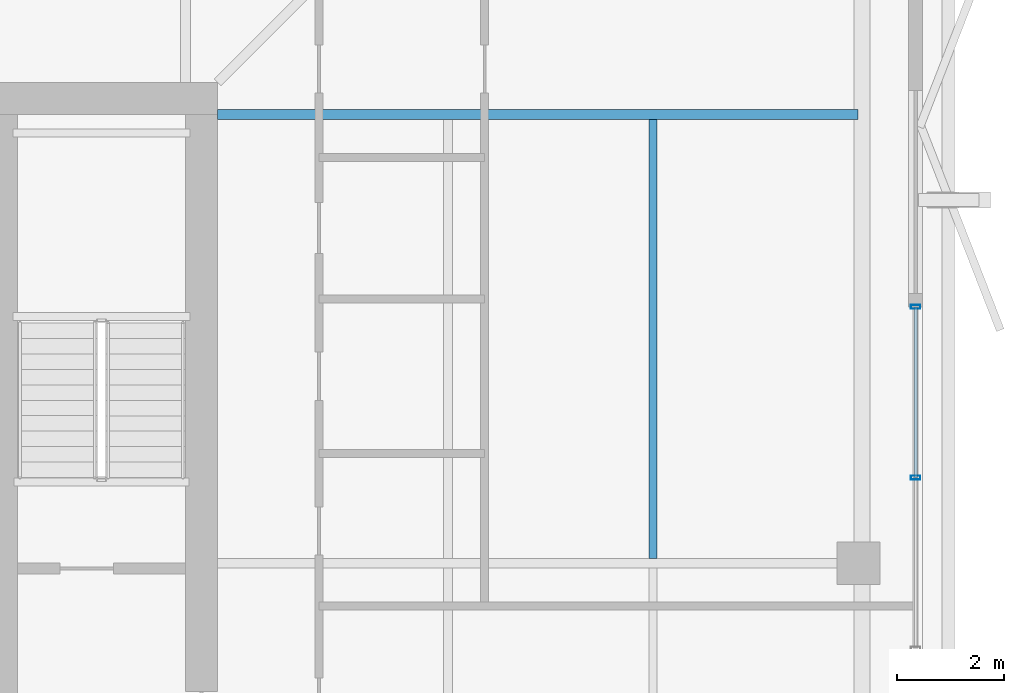
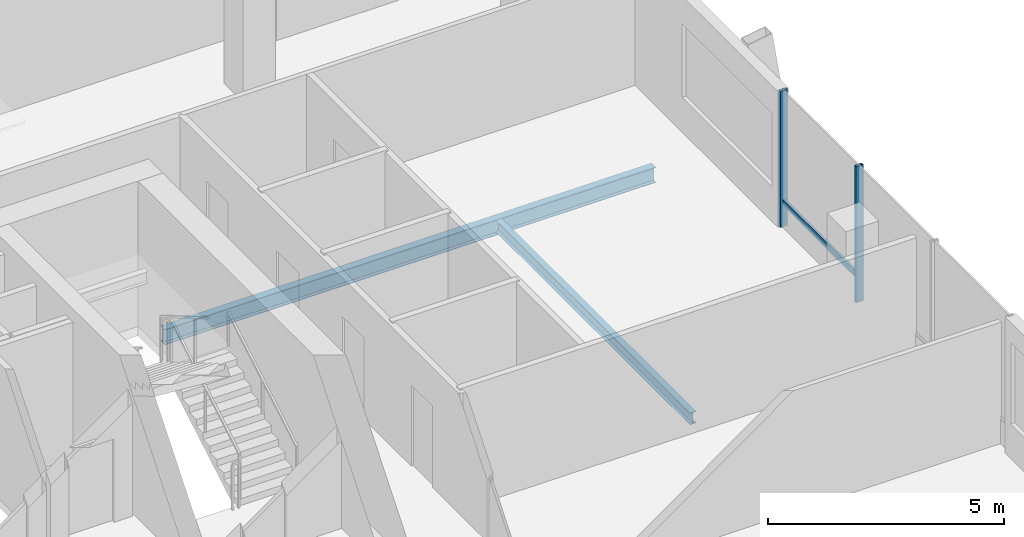
# One storey, part 8 of 17: 3 members, 2 beams, 1 element without a shape of its own.
"""IFC4 building model written with IfcOpenShell, lengths in metres."""

import ifcopenshell
import ifcopenshell.guid

model = None  # the IFC model being written
_history = None  # IfcOwnerHistory: only IFC2X3 demands one
_inside = {}  # id of a spatial element -> (the spatial element, [elements in it])
_under = {}  # id of a project, library or spatial element -> (it, [spatial elements below it])
_declared = {}  # id of a project -> (the project, [libraries it declares])
_typed = {}  # id of a type object -> (the type object, [elements of that type])
_made_of = {}  # id of a material, layer set ... -> (it, [elements and type objects made of it])


def new_model(schema):
    """Start an empty IFC model of exactly this schema.

    Asked for "IFC4X3", IfcOpenShell would pick the latest addendum, in which some entities
    have other attributes; the version numbers below select the first issue.
    IFC2X3 requires an IfcOwnerHistory on every rooted entity: one is made here for all.
    """
    global model, _history
    if schema == "IFC4X3":
        model = ifcopenshell.file(schema_version=(4, 3, 0, 0))
    else:
        model = ifcopenshell.file(schema=schema)
    _inside.clear()
    _under.clear()
    _declared.clear()
    _typed.clear()
    _made_of.clear()
    _history = None
    if model.schema == "IFC2X3":
        org = make("IfcOrganization", Name="unknown")
        user = make(
            "IfcPersonAndOrganization",
            ThePerson=make("IfcPerson", FamilyName="unknown"),
            TheOrganization=org,
        )
        app = make(
            "IfcApplication",
            ApplicationDeveloper=org,
            Version="unknown",
            ApplicationFullName="unknown",
            ApplicationIdentifier="unknown",
        )
        _history = make(
            "IfcOwnerHistory",
            OwningUser=user,
            OwningApplication=app,
            ChangeAction="ADDED",
            CreationDate=0,
        )
    return model


def make(cls, **values):
    """One entity of the class cls with the attributes given. An attribute that is None is left unset."""
    return model.create_entity(
        cls, **{name: value for name, value in values.items() if value is not None}
    )


def rooted(cls, **values):
    """An entity with a GlobalId (a new one), such as an element, a storey or a relation."""
    return make(cls, GlobalId=ifcopenshell.guid.new(), OwnerHistory=_history, **values)


def si_unit(unit_type, name, prefix=None):
    """IfcSIUnit, for example si_unit("LENGTHUNIT", "METRE", prefix="MILLI")."""
    return make("IfcSIUnit", UnitType=unit_type, Prefix=prefix, Name=name)


def assignment(units):
    """IfcUnitAssignment: the units of a project."""
    return None if units is None else make("IfcUnitAssignment", Units=units)


def point(xyz):
    """IfcCartesianPoint."""
    return None if xyz is None else make("IfcCartesianPoint", Coordinates=xyz)


def direction(xyz):
    """IfcDirection."""
    return None if xyz is None else make("IfcDirection", DirectionRatios=xyz)


def frame(location, z_axis=None, x_axis=None):
    """IfcAxis2Placement3D, a coordinate frame: its origin and axes. An axis left out is left unset."""
    return make(
        "IfcAxis2Placement3D",
        Location=point(location),
        Axis=direction(z_axis),
        RefDirection=direction(x_axis),
    )


def frame_2d(location, x_axis=None):
    """IfcAxis2Placement2D, a coordinate frame in the plane: its origin and x axis."""
    return make(
        "IfcAxis2Placement2D", Location=point(location), RefDirection=direction(x_axis)
    )


def origin():
    """The frame at (0, 0, 0) with its axes left unset."""
    return frame((0.0, 0.0, 0.0))


def origin_2d():
    """The frame at (0, 0) in the plane with its x axis left unset."""
    return frame_2d((0.0, 0.0))


def place(relative_to, where):
    """IfcLocalPlacement: puts the frame where relative to a parent placement (None: the world)."""
    return make(
        "IfcLocalPlacement", PlacementRelTo=relative_to, RelativePlacement=where
    )


def context(
    kind, dimensions, precision=None, world=None, true_north=None, identifier=None
):
    """IfcGeometricRepresentationContext, for example the 3D "Model" context."""
    return make(
        "IfcGeometricRepresentationContext",
        ContextIdentifier=identifier,
        ContextType=kind,
        CoordinateSpaceDimension=dimensions,
        Precision=precision,
        WorldCoordinateSystem=world,
        TrueNorth=true_north,
    )


def subcontext(parent, identifier, kind, view, scale=None):
    """IfcGeometricRepresentationSubContext, for example "Body" below "Model"."""
    return make(
        "IfcGeometricRepresentationSubContext",
        ContextIdentifier=identifier,
        ContextType=kind,
        ParentContext=parent,
        TargetScale=scale,
        TargetView=view,
    )


def project(units=None, contexts=None):
    """IfcProject with its units and contexts."""
    return rooted(
        "IfcProject",
        Name="project",
        RepresentationContexts=contexts,
        UnitsInContext=assignment(units),
    )


def spatial(cls, under=None, at=None, **own):
    """A site, building, storey or space (cls), placed at a placement, below another one or the project."""
    s = rooted(cls, ObjectPlacement=at, **own)
    if under is not None:
        _under.setdefault(under.id(), (under, []))[1].append(s)
    return s


def profile(cls, at=None, kind="AREA", **sizes):
    """A parametric profile (cls). Its sizes go by their IFC names, for example OverallWidth=200.0."""
    return make(cls, ProfileType=kind, Position=at, **sizes)


def hollow_rectangle(**sizes):
    """IfcRectangleHollowProfileDef."""
    return profile("IfcRectangleHollowProfileDef", **sizes)


def i_section(**sizes):
    """IfcIShapeProfileDef."""
    return profile("IfcIShapeProfileDef", **sizes)


def extrude(swept, where, along, depth):
    """IfcExtrudedAreaSolid: the profile swept, set in the frame where, extruded along a direction by depth."""
    return make(
        "IfcExtrudedAreaSolid",
        SweptArea=swept,
        Position=where,
        ExtrudedDirection=direction(along),
        Depth=depth,
    )


def shape(context_of_items, identifier, shape_type, items):
    """IfcShapeRepresentation: the items that make up one representation, for example the "Body"."""
    return make(
        "IfcShapeRepresentation",
        ContextOfItems=context_of_items,
        RepresentationIdentifier=identifier,
        RepresentationType=shape_type,
        Items=items,
    )


def material(Name=None, Category=None):
    """IfcMaterial."""
    return make("IfcMaterial", Name=Name, Category=Category)


def layer(
    of_material, thickness, ventilated=None, Name=None, Category=None, Priority=None
):
    """IfcMaterialLayer: one layer of a wall or slab, of a material (None: an air gap)."""
    return make(
        "IfcMaterialLayer",
        Material=of_material,
        LayerThickness=thickness,
        IsVentilated=ventilated,
        Name=Name,
        Category=Category,
        Priority=Priority,
    )


def layer_set(layers, Name=None):
    """IfcMaterialLayerSet."""
    return make("IfcMaterialLayerSet", MaterialLayers=layers, LayerSetName=Name)


def material_profile(
    of_material, cross_section, Name=None, Category=None, Priority=None
):
    """IfcMaterialProfile: a cross section and its material."""
    return make(
        "IfcMaterialProfile",
        Name=Name,
        Material=of_material,
        Profile=cross_section,
        Priority=Priority,
        Category=Category,
    )


def profile_set(profiles, Name=None, composite=None):
    """IfcMaterialProfileSet."""
    return make(
        "IfcMaterialProfileSet",
        Name=Name,
        MaterialProfiles=profiles,
        CompositeProfile=composite,
    )


def made_of(thing, what):
    """Note that an element or type object is made of a material, layer set ...; save() writes the relation."""
    if what is not None:
        _made_of.setdefault(what.id(), (what, []))[1].append(thing)
    return thing


def type_object(cls, material=None, **own):
    """A type object (cls), such as IfcWallType, which elements share."""
    return made_of(rooted(cls, **own), material)


def element(
    cls,
    number,
    at=None,
    inside=None,
    cuts=None,
    type_object=None,
    material=None,
    context=None,
    identifier="Body",
    shape_type=None,
    held_by="IfcProductDefinitionShape",
    body=None,
    shapes=None,
    **own,
):
    """One element of the class cls, such as IfcWall. Its Tag is "e" and its number.

    at: its placement. inside: the storey or other place that contains it. cuts: it is an
    opening in that element (IfcRelVoidsElement). A single representation is given by context,
    identifier, shape_type and body (its items); several are given by shapes. held_by: the class
    of the entity that holds the representations. save() writes the other relations.
    """
    e = rooted(cls, Tag="e%d" % number, ObjectPlacement=at, **own)
    if body is not None:
        shapes = [shape(context, identifier, shape_type, body)]
    if shapes is not None:
        e.Representation = make(held_by, Representations=shapes)
    if inside is not None:
        _inside.setdefault(inside.id(), (inside, []))[1].append(e)
    if cuts is not None:
        rooted(
            "IfcRelVoidsElement", RelatingBuildingElement=cuts, RelatedOpeningElement=e
        )
    if type_object is not None:
        _typed.setdefault(type_object.id(), (type_object, []))[1].append(e)
    return made_of(e, material)


def aggregate(whole, parts):
    """IfcRelAggregates: a whole, such as a stair, and the parts it consists of."""
    return rooted("IfcRelAggregates", RelatingObject=whole, RelatedObjects=parts)


def save(model, path):
    """Write the relations noted so far, then the file.

    IfcRelAggregates (storeys below a building ...), IfcRelContainedInSpatialStructure (elements
    in a storey), IfcRelDefinesByType, IfcRelAssociatesMaterial and IfcRelDeclares: one each for
    every whole, place, type object, material and project.
    """
    for whole, parts in _under.values():
        aggregate(whole, parts)
    for where, things in _inside.values():
        rooted(
            "IfcRelContainedInSpatialStructure",
            RelatedElements=things,
            RelatingStructure=where,
        )
    for kind, things in _typed.values():
        rooted("IfcRelDefinesByType", RelatedObjects=things, RelatingType=kind)
    for what, things in _made_of.values():
        rooted("IfcRelAssociatesMaterial", RelatedObjects=things, RelatingMaterial=what)
    for by, libraries in _declared.values():
        rooted("IfcRelDeclares", RelatingContext=by, RelatedDefinitions=libraries)
    model.write(path)


model = new_model("IFC4")

# Units and contexts
model_context = context("Model", 3, precision=1e-05, world=origin(), true_north=direction((0.0, 1.0)))
body_context = subcontext(model_context, "Body", "Model", "MODEL_VIEW")
ifc_project = project(units=[si_unit("LENGTHUNIT", "METRE"), si_unit("AREAUNIT", "SQUARE_METRE"), si_unit("VOLUMEUNIT", "CUBIC_METRE"), si_unit("PLANEANGLEUNIT", "RADIAN"), si_unit("MASSUNIT", "GRAM", prefix="KILO")], contexts=[model_context])

# Site, building, storey
site_placement = place(None, origin())
site = spatial("IfcSite", under=ifc_project, at=site_placement, CompositionType="ELEMENT")
building_placement = place(site_placement, origin())
building = spatial("IfcBuilding", under=site, at=building_placement, Name="Belovzor Exchange Tower", CompositionType="ELEMENT")
storey_placement = place(building_placement, frame((0.0, 0.0, 333.0)))
storey = spatial("IfcBuildingStorey", under=building, at=storey_placement, Name="L83", CompositionType="ELEMENT", Elevation=333.0)

# Beam
ifc_material_1 = material(Name="Steel S355", Category="steel")
ifc_material_profile_1 = material_profile(ifc_material_1, i_section(OverallWidth=0.14990234375, OverallDepth=0.300048828125, WebThickness=0.007080078125, FlangeThickness=0.0107421875, at=origin_2d()))
ifc_profile_set_1 = profile_set([ifc_material_profile_1], Name="Steel S355")
beam_type_1 = type_object("IfcBeamType", Name="Secondary Trim Floor Joist IPE 300", PredefinedType="BEAM", material=ifc_profile_set_1)
beam_1_placement = place(storey_placement, frame((45.950927734375, 28.889892578125, -0.389892578125), z_axis=(0.0, 1.0, 0.0), x_axis=(-1.0, 0.0, 0.0)))
element("IfcBeam", 1, at=beam_1_placement, inside=storey, type_object=beam_type_1, Name="FJ-300 Secondary Trim Floor Joist IPE 300", PredefinedType="BEAM", context=body_context, shape_type="SweptSolid", body=[
    extrude(i_section(OverallWidth=0.14990234375, OverallDepth=0.300048828125, WebThickness=0.007080078125, FlangeThickness=0.0107421875, at=origin_2d()), origin(), (0.0, 0.0, 1.0), 8.22021484375),
])

# Curtain wall, members
ifc_material_2 = material(Name="Anodised Aluminium Framing", Category="aluminium")
ifc_layer = layer(ifc_material_2, 0.179931640625)
ifc_layer_set = layer_set([ifc_layer], Name="Anodised Aluminium Framing")
curtain_wall_type = type_object("IfcCurtainWallType", Name="Recessed Loggia Low-Iron Triple-Glazed Curtain Wall", PredefinedType="NOTDEFINED", material=ifc_layer_set)
curtain_wall_placement = place(storey_placement, origin())
curtain_wall = element("IfcCurtainWall", 2, at=curtain_wall_placement, inside=storey, type_object=curtain_wall_type, Name="CW3 Recessed Loggia Low-Iron Triple-Glazed Curtain Wall L83", PredefinedType="NOTDEFINED")
ifc_material_3 = material(Name="Steel S355", Category="steel")
ifc_material_profile_2 = material_profile(ifc_material_3, hollow_rectangle(XDim=0.074951171875, YDim=0.179931640625, WallThickness=0.0048828125, at=origin_2d()))
ifc_profile_set_2 = profile_set([ifc_material_profile_2], Name="Steel S355")
member_type_1 = type_object("IfcMemberType", Name="Thermally Broken Curtain Wall Mullion 180x75", PredefinedType="MULLION", material=ifc_profile_set_2)
member_1_placement = place(storey_placement, frame((50.8701171875, 33.60009765625, 0.0), z_axis=(0.0, 0.0, 1.0), x_axis=(0.0, -1.0, 0.0)))
member_1 = element("IfcMember", 3, at=member_1_placement, type_object=member_type_1, Name="CW-M180 Curtain Wall Mullion 1", PredefinedType="MULLION", context=body_context, shape_type="SweptSolid", body=[
    extrude(hollow_rectangle(XDim=0.074951171875, YDim=0.179931640625, WallThickness=0.0048828125, at=origin_2d()), origin(), (0.0, 0.0, 1.0), 3.510009765625),
])
member_2_placement = place(storey_placement, frame((50.8701171875, 30.39990234375, 0.0), z_axis=(0.0, 0.0, 1.0), x_axis=(0.0, -1.0, 0.0)))
member_2 = element("IfcMember", 4, at=member_2_placement, type_object=member_type_1, Name="CW-M180 Curtain Wall Mullion 2", PredefinedType="MULLION", context=body_context, shape_type="SweptSolid", body=[
    extrude(hollow_rectangle(XDim=0.074951171875, YDim=0.179931640625, WallThickness=0.0048828125, at=origin_2d()), origin(), (0.0, 0.0, 1.0), 3.510009765625),
])
ifc_material_4 = material(Name="Steel S355", Category="steel")
ifc_material_profile_3 = material_profile(ifc_material_4, hollow_rectangle(XDim=0.06005859375, YDim=0.14990234375, WallThickness=0.00390625, at=origin_2d()))
ifc_profile_set_3 = profile_set([ifc_material_profile_3], Name="Steel S355")
member_type_2 = type_object("IfcMemberType", Name="Thermally Broken Curtain Wall Transom 150x60", PredefinedType="USERDEFINED", material=ifc_profile_set_3)
member_3_placement = place(storey_placement, frame((50.8701171875, 33.592041015625, 0.632080078125), z_axis=(0.0, -1.0, 0.0), x_axis=(1.0, 0.0, 0.0)))
member_3 = element("IfcMember", 5, at=member_3_placement, type_object=member_type_2, Name="CW-T150 Curtain Wall Transom 1", ObjectType="TRANSOM", PredefinedType="USERDEFINED", context=body_context, shape_type="SweptSolid", body=[
    extrude(hollow_rectangle(XDim=0.06005859375, YDim=0.14990234375, WallThickness=0.00390625, at=origin_2d()), origin(), (0.0, 0.0, 1.0), 3.18408203125),
])
aggregate(curtain_wall, [member_1, member_2, member_3])

# Beam
ifc_material_5 = material(Name="Steel S355", Category="steel")
ifc_material_profile_4 = material_profile(ifc_material_5, i_section(OverallWidth=0.179931640625, OverallDepth=0.39990234375, WebThickness=0.008544921875, FlangeThickness=0.013427734375, at=origin_2d()))
ifc_profile_set_4 = profile_set([ifc_material_profile_4], Name="Steel S355")
beam_type_2 = type_object("IfcBeamType", Name="Zone 5-6 Radial Composite Floor Beam IPE 400", PredefinedType="BEAM", material=ifc_profile_set_4)
beam_2_placement = place(storey_placement, frame((37.800048828125, 37.199951171875, -0.43994140625), z_axis=(1.0, 0.0, 0.0), x_axis=(0.0, 1.0, 0.0)))
element("IfcBeam", 6, at=beam_2_placement, inside=storey, type_object=beam_type_2, Name="FB-400 Zone 5-6 Radial Composite Floor Beam IPE 400", PredefinedType="BEAM", context=body_context, shape_type="SweptSolid", body=[
    extrude(i_section(OverallWidth=0.179931640625, OverallDepth=0.39990234375, WebThickness=0.008544921875, FlangeThickness=0.013427734375, at=origin_2d()), origin(), (0.0, 0.0, 1.0), 11.987060546875),
])

save(model, "model.ifc")
